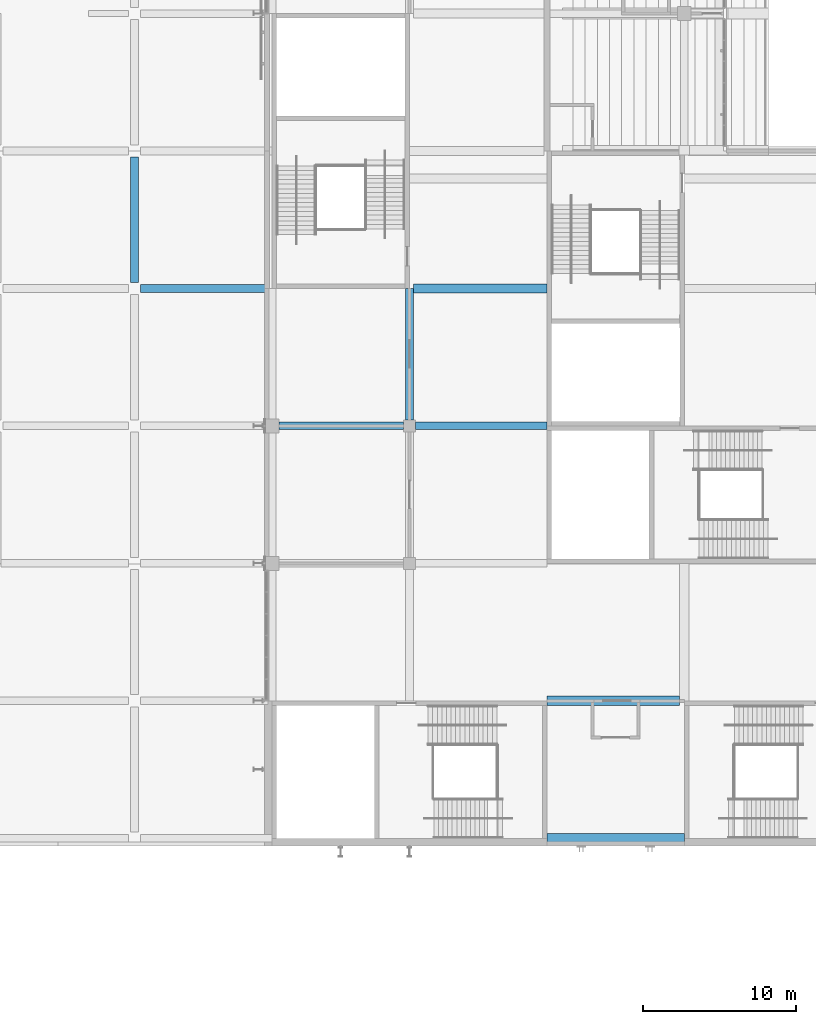
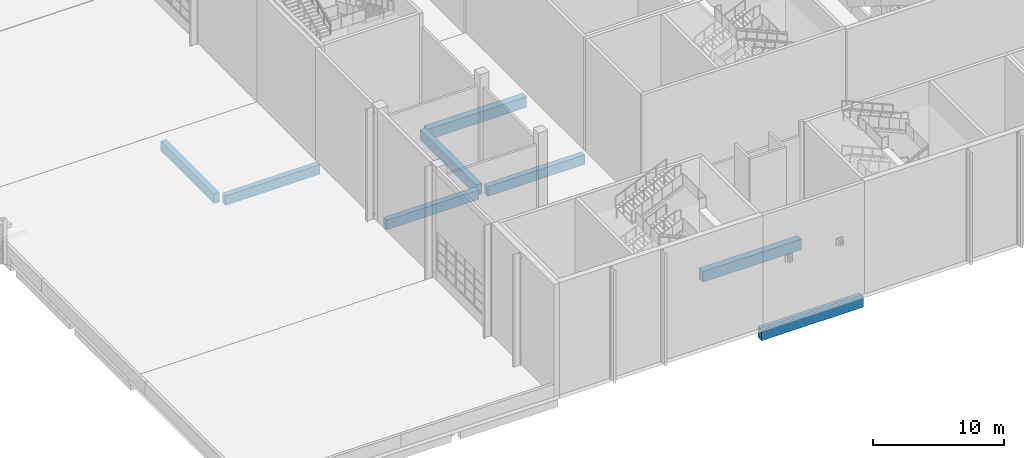
# One storey, part 16 of 182: 8 beams.
"""IFC4 building model written with IfcOpenShell, lengths in metres."""

from ifc_helpers import new_model, si_unit, direction, frame, origin, origin_2d, place, context, subcontext, project, spatial, rectangle, extrude, material, material_profile, profile_set, type_object, element, save


model = new_model("IFC4")

# Units and contexts
model_context = context("Model", 3, precision=1e-05, world=origin(), true_north=direction((0.0, 1.0)))
body_context = subcontext(model_context, "Body", "Model", "MODEL_VIEW")
ifc_project = project(units=[si_unit("LENGTHUNIT", "METRE"), si_unit("AREAUNIT", "SQUARE_METRE"), si_unit("VOLUMEUNIT", "CUBIC_METRE"), si_unit("PLANEANGLEUNIT", "RADIAN"), si_unit("MASSUNIT", "GRAM", prefix="KILO")], contexts=[model_context])

# Site, building, storey
site_placement = place(None, origin())
site = spatial("IfcSite", under=ifc_project, at=site_placement, CompositionType="ELEMENT")
building_placement = place(site_placement, origin())
building = spatial("IfcBuilding", under=site, at=building_placement, Name="Silverbay Arena", CompositionType="ELEMENT")
storey_placement = place(building_placement, frame((0.0, 0.0, 11.5)))
storey = spatial("IfcBuildingStorey", under=building, at=storey_placement, Name="L02", CompositionType="ELEMENT", Elevation=11.5)

# Beams
ifc_material_1 = material(Name="Concrete Grade C45", Category="concrete")
ifc_material_profile_1 = material_profile(ifc_material_1, rectangle(XDim=0.5, YDim=1.0, at=origin_2d()), Name="RC 500x1000")
ifc_profile_set_1 = profile_set([ifc_material_profile_1], Name="Concrete Grade C45")
beam_type_1 = type_object("IfcBeamType", Name="RC beam 500x1000", PredefinedType="BEAM", material=ifc_profile_set_1)
beam_1_placement = place(storey_placement, frame((63.0, 45.39990234375, -0.85009765625), z_axis=(0.0, 1.0, 0.0), x_axis=(-1.0, 0.0, 0.0)))
element("IfcBeam", 1, at=beam_1_placement, inside=storey, type_object=beam_type_1, Name="Floor beam L02 225", PredefinedType="BEAM", context=body_context, shape_type="SweptSolid", body=[
    extrude(rectangle(XDim=0.5, YDim=1.0, at=origin_2d()), origin(), (0.0, 0.0, 1.0), 8.60009765625),
])
ifc_material_2 = material(Name="Concrete Grade C45", Category="concrete")
ifc_material_profile_2 = material_profile(ifc_material_2, rectangle(XDim=0.5, YDim=0.89990234375, at=origin_2d()), Name="RC 500x900")
ifc_profile_set_2 = profile_set([ifc_material_profile_2], Name="Concrete Grade C45")
beam_type_2 = type_object("IfcBeamType", Name="RC beam 500x900", PredefinedType="BEAM", material=ifc_profile_set_2)
beam_2_placement = place(storey_placement, frame((54.449951171875, 45.0, -0.800048828125), z_axis=(1.0, 0.0, 0.0), x_axis=(0.0, 1.0, 0.0)))
element("IfcBeam", 2, at=beam_2_placement, inside=storey, type_object=beam_type_2, Name="Floor beam L02 030", PredefinedType="BEAM", context=body_context, shape_type="SweptSolid", body=[
    extrude(rectangle(XDim=0.5, YDim=0.89990234375, at=origin_2d()), origin(), (0.0, 0.0, 1.0), 8.150146484375),
])
beam_3_placement = place(storey_placement, frame((63.39990234375, 45.0, -0.800048828125), z_axis=(1.0, 0.0, 0.0), x_axis=(0.0, 1.0, 0.0)))
element("IfcBeam", 3, at=beam_3_placement, inside=storey, type_object=beam_type_2, Name="Floor beam L02 031", PredefinedType="BEAM", context=body_context, shape_type="SweptSolid", body=[
    extrude(rectangle(XDim=0.5, YDim=0.89990234375, at=origin_2d()), origin(), (0.0, 0.0, 1.0), 8.60009765625),
])
beam_4_placement = place(storey_placement, frame((45.39990234375, 54.0, -0.800048828125), z_axis=(1.0, 0.0, 0.0), x_axis=(0.0, 1.0, 0.0)))
element("IfcBeam", 4, at=beam_4_placement, inside=storey, type_object=beam_type_2, Name="Floor beam L02 048", PredefinedType="BEAM", context=body_context, shape_type="SweptSolid", body=[
    extrude(rectangle(XDim=0.5, YDim=0.89990234375, at=origin_2d()), origin(), (0.0, 0.0, 1.0), 8.35009765625),
])
beam_5_placement = place(storey_placement, frame((45.0, 54.39990234375, -0.800048828125), z_axis=(0.0, 1.0, 0.0), x_axis=(-1.0, 0.0, 0.0)))
element("IfcBeam", 5, at=beam_5_placement, inside=storey, type_object=beam_type_2, Name="Floor beam L02 205", PredefinedType="BEAM", context=body_context, shape_type="SweptSolid", body=[
    extrude(rectangle(XDim=0.5, YDim=0.89990234375, at=origin_2d()), origin(), (0.0, 0.0, 1.0), 8.2001953125),
])
ifc_material_3 = material(Name="Concrete Grade C45", Category="concrete")
ifc_material_profile_3 = material_profile(ifc_material_3, rectangle(XDim=0.60009765625, YDim=1.0, at=origin_2d()), Name="RC 600x1000")
ifc_profile_set_3 = profile_set([ifc_material_profile_3], Name="Concrete Grade C45")
beam_type_3 = type_object("IfcBeamType", Name="RC beam 600x1000", PredefinedType="BEAM", material=ifc_profile_set_3)
beam_6_placement = place(storey_placement, frame((72.0, 18.0, -0.85009765625), z_axis=(1.0, 0.0, 0.0), x_axis=(0.0, 1.0, 0.0)))
element("IfcBeam", 6, at=beam_6_placement, inside=storey, type_object=beam_type_3, Name="Floor beam L02 003", PredefinedType="BEAM", context=body_context, shape_type="SweptSolid", body=[
    extrude(rectangle(XDim=0.60009765625, YDim=1.0, at=origin_2d()), origin(), (0.0, 0.0, 1.0), 9.0),
])
beam_7_placement = place(storey_placement, frame((72.0, 27.0, -0.85009765625), z_axis=(1.0, 0.0, 0.0), x_axis=(0.0, 1.0, 0.0)))
element("IfcBeam", 7, at=beam_7_placement, inside=storey, type_object=beam_type_3, Name="Floor beam L02 012", PredefinedType="BEAM", context=body_context, shape_type="SweptSolid", body=[
    extrude(rectangle(XDim=0.60009765625, YDim=1.0, at=origin_2d()), origin(), (0.0, 0.0, 1.0), 8.699951171875),
])
beam_8_placement = place(storey_placement, frame((63.25, 54.0, -0.85009765625), z_axis=(1.0, 0.0, 0.0), x_axis=(0.0, 1.0, 0.0)))
element("IfcBeam", 8, at=beam_8_placement, inside=storey, type_object=beam_type_3, Name="Floor beam L02 049", PredefinedType="BEAM", context=body_context, shape_type="SweptSolid", body=[
    extrude(rectangle(XDim=0.60009765625, YDim=1.0, at=origin_2d()), origin(), (0.0, 0.0, 1.0), 8.75),
])

save(model, "model.ifc")
